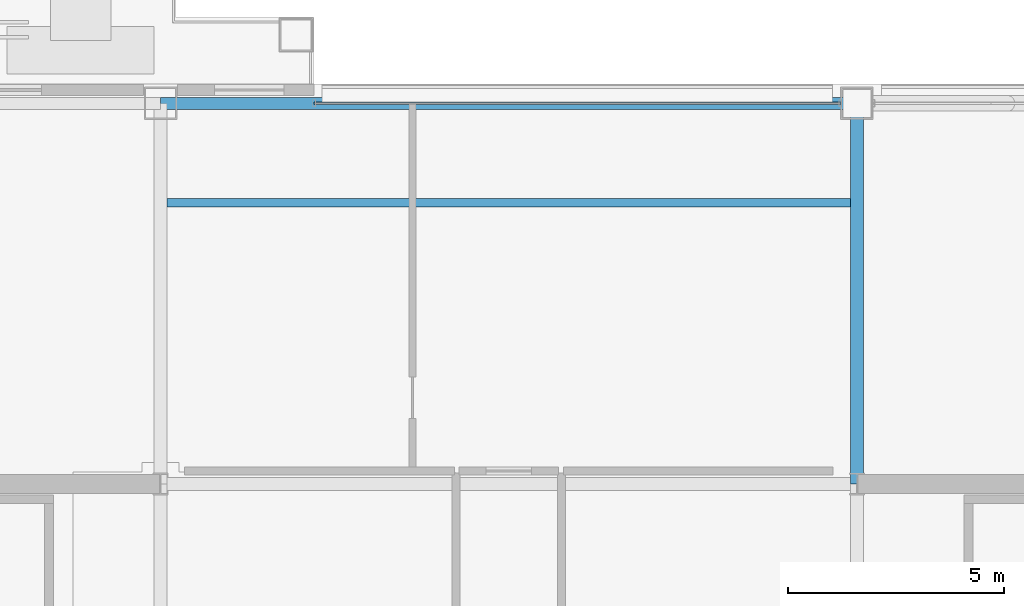
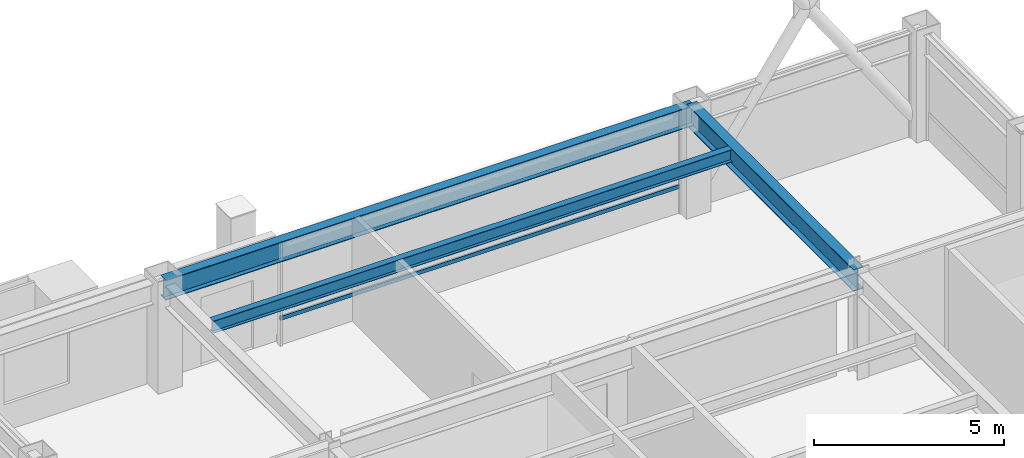
# One storey, part 22 of 32: 3 beams, 1 member, 1 element without a shape of its own.
"""IFC4 building model written with IfcOpenShell, lengths in metres."""

import ifcopenshell
import ifcopenshell.guid

model = None  # the IFC model being written
_history = None  # IfcOwnerHistory: only IFC2X3 demands one
_inside = {}  # id of a spatial element -> (the spatial element, [elements in it])
_under = {}  # id of a project, library or spatial element -> (it, [spatial elements below it])
_declared = {}  # id of a project -> (the project, [libraries it declares])
_typed = {}  # id of a type object -> (the type object, [elements of that type])
_made_of = {}  # id of a material, layer set ... -> (it, [elements and type objects made of it])


def new_model(schema):
    """Start an empty IFC model of exactly this schema.

    Asked for "IFC4X3", IfcOpenShell would pick the latest addendum, in which some entities
    have other attributes; the version numbers below select the first issue.
    IFC2X3 requires an IfcOwnerHistory on every rooted entity: one is made here for all.
    """
    global model, _history
    if schema == "IFC4X3":
        model = ifcopenshell.file(schema_version=(4, 3, 0, 0))
    else:
        model = ifcopenshell.file(schema=schema)
    _inside.clear()
    _under.clear()
    _declared.clear()
    _typed.clear()
    _made_of.clear()
    _history = None
    if model.schema == "IFC2X3":
        org = make("IfcOrganization", Name="unknown")
        user = make(
            "IfcPersonAndOrganization",
            ThePerson=make("IfcPerson", FamilyName="unknown"),
            TheOrganization=org,
        )
        app = make(
            "IfcApplication",
            ApplicationDeveloper=org,
            Version="unknown",
            ApplicationFullName="unknown",
            ApplicationIdentifier="unknown",
        )
        _history = make(
            "IfcOwnerHistory",
            OwningUser=user,
            OwningApplication=app,
            ChangeAction="ADDED",
            CreationDate=0,
        )
    return model


def make(cls, **values):
    """One entity of the class cls with the attributes given. An attribute that is None is left unset."""
    return model.create_entity(
        cls, **{name: value for name, value in values.items() if value is not None}
    )


def rooted(cls, **values):
    """An entity with a GlobalId (a new one), such as an element, a storey or a relation."""
    return make(cls, GlobalId=ifcopenshell.guid.new(), OwnerHistory=_history, **values)


def si_unit(unit_type, name, prefix=None):
    """IfcSIUnit, for example si_unit("LENGTHUNIT", "METRE", prefix="MILLI")."""
    return make("IfcSIUnit", UnitType=unit_type, Prefix=prefix, Name=name)


def assignment(units):
    """IfcUnitAssignment: the units of a project."""
    return None if units is None else make("IfcUnitAssignment", Units=units)


def point(xyz):
    """IfcCartesianPoint."""
    return None if xyz is None else make("IfcCartesianPoint", Coordinates=xyz)


def direction(xyz):
    """IfcDirection."""
    return None if xyz is None else make("IfcDirection", DirectionRatios=xyz)


def frame(location, z_axis=None, x_axis=None):
    """IfcAxis2Placement3D, a coordinate frame: its origin and axes. An axis left out is left unset."""
    return make(
        "IfcAxis2Placement3D",
        Location=point(location),
        Axis=direction(z_axis),
        RefDirection=direction(x_axis),
    )


def frame_2d(location, x_axis=None):
    """IfcAxis2Placement2D, a coordinate frame in the plane: its origin and x axis."""
    return make(
        "IfcAxis2Placement2D", Location=point(location), RefDirection=direction(x_axis)
    )


def origin():
    """The frame at (0, 0, 0) with its axes left unset."""
    return frame((0.0, 0.0, 0.0))


def origin_2d():
    """The frame at (0, 0) in the plane with its x axis left unset."""
    return frame_2d((0.0, 0.0))


def place(relative_to, where):
    """IfcLocalPlacement: puts the frame where relative to a parent placement (None: the world)."""
    return make(
        "IfcLocalPlacement", PlacementRelTo=relative_to, RelativePlacement=where
    )


def context(
    kind, dimensions, precision=None, world=None, true_north=None, identifier=None
):
    """IfcGeometricRepresentationContext, for example the 3D "Model" context."""
    return make(
        "IfcGeometricRepresentationContext",
        ContextIdentifier=identifier,
        ContextType=kind,
        CoordinateSpaceDimension=dimensions,
        Precision=precision,
        WorldCoordinateSystem=world,
        TrueNorth=true_north,
    )


def subcontext(parent, identifier, kind, view, scale=None):
    """IfcGeometricRepresentationSubContext, for example "Body" below "Model"."""
    return make(
        "IfcGeometricRepresentationSubContext",
        ContextIdentifier=identifier,
        ContextType=kind,
        ParentContext=parent,
        TargetScale=scale,
        TargetView=view,
    )


def project(units=None, contexts=None):
    """IfcProject with its units and contexts."""
    return rooted(
        "IfcProject",
        Name="project",
        RepresentationContexts=contexts,
        UnitsInContext=assignment(units),
    )


def spatial(cls, under=None, at=None, **own):
    """A site, building, storey or space (cls), placed at a placement, below another one or the project."""
    s = rooted(cls, ObjectPlacement=at, **own)
    if under is not None:
        _under.setdefault(under.id(), (under, []))[1].append(s)
    return s


def profile(cls, at=None, kind="AREA", **sizes):
    """A parametric profile (cls). Its sizes go by their IFC names, for example OverallWidth=200.0."""
    return make(cls, ProfileType=kind, Position=at, **sizes)


def hollow_rectangle(**sizes):
    """IfcRectangleHollowProfileDef."""
    return profile("IfcRectangleHollowProfileDef", **sizes)


def i_section(**sizes):
    """IfcIShapeProfileDef."""
    return profile("IfcIShapeProfileDef", **sizes)


def extrude(swept, where, along, depth):
    """IfcExtrudedAreaSolid: the profile swept, set in the frame where, extruded along a direction by depth."""
    return make(
        "IfcExtrudedAreaSolid",
        SweptArea=swept,
        Position=where,
        ExtrudedDirection=direction(along),
        Depth=depth,
    )


def shape(context_of_items, identifier, shape_type, items):
    """IfcShapeRepresentation: the items that make up one representation, for example the "Body"."""
    return make(
        "IfcShapeRepresentation",
        ContextOfItems=context_of_items,
        RepresentationIdentifier=identifier,
        RepresentationType=shape_type,
        Items=items,
    )


def material(Name=None, Category=None):
    """IfcMaterial."""
    return make("IfcMaterial", Name=Name, Category=Category)


def layer(
    of_material, thickness, ventilated=None, Name=None, Category=None, Priority=None
):
    """IfcMaterialLayer: one layer of a wall or slab, of a material (None: an air gap)."""
    return make(
        "IfcMaterialLayer",
        Material=of_material,
        LayerThickness=thickness,
        IsVentilated=ventilated,
        Name=Name,
        Category=Category,
        Priority=Priority,
    )


def layer_set(layers, Name=None):
    """IfcMaterialLayerSet."""
    return make("IfcMaterialLayerSet", MaterialLayers=layers, LayerSetName=Name)


def material_profile(
    of_material, cross_section, Name=None, Category=None, Priority=None
):
    """IfcMaterialProfile: a cross section and its material."""
    return make(
        "IfcMaterialProfile",
        Name=Name,
        Material=of_material,
        Profile=cross_section,
        Priority=Priority,
        Category=Category,
    )


def profile_set(profiles, Name=None, composite=None):
    """IfcMaterialProfileSet."""
    return make(
        "IfcMaterialProfileSet",
        Name=Name,
        MaterialProfiles=profiles,
        CompositeProfile=composite,
    )


def made_of(thing, what):
    """Note that an element or type object is made of a material, layer set ...; save() writes the relation."""
    if what is not None:
        _made_of.setdefault(what.id(), (what, []))[1].append(thing)
    return thing


def type_object(cls, material=None, **own):
    """A type object (cls), such as IfcWallType, which elements share."""
    return made_of(rooted(cls, **own), material)


def element(
    cls,
    number,
    at=None,
    inside=None,
    cuts=None,
    type_object=None,
    material=None,
    context=None,
    identifier="Body",
    shape_type=None,
    held_by="IfcProductDefinitionShape",
    body=None,
    shapes=None,
    **own,
):
    """One element of the class cls, such as IfcWall. Its Tag is "e" and its number.

    at: its placement. inside: the storey or other place that contains it. cuts: it is an
    opening in that element (IfcRelVoidsElement). A single representation is given by context,
    identifier, shape_type and body (its items); several are given by shapes. held_by: the class
    of the entity that holds the representations. save() writes the other relations.
    """
    e = rooted(cls, Tag="e%d" % number, ObjectPlacement=at, **own)
    if body is not None:
        shapes = [shape(context, identifier, shape_type, body)]
    if shapes is not None:
        e.Representation = make(held_by, Representations=shapes)
    if inside is not None:
        _inside.setdefault(inside.id(), (inside, []))[1].append(e)
    if cuts is not None:
        rooted(
            "IfcRelVoidsElement", RelatingBuildingElement=cuts, RelatedOpeningElement=e
        )
    if type_object is not None:
        _typed.setdefault(type_object.id(), (type_object, []))[1].append(e)
    return made_of(e, material)


def aggregate(whole, parts):
    """IfcRelAggregates: a whole, such as a stair, and the parts it consists of."""
    return rooted("IfcRelAggregates", RelatingObject=whole, RelatedObjects=parts)


def save(model, path):
    """Write the relations noted so far, then the file.

    IfcRelAggregates (storeys below a building ...), IfcRelContainedInSpatialStructure (elements
    in a storey), IfcRelDefinesByType, IfcRelAssociatesMaterial and IfcRelDeclares: one each for
    every whole, place, type object, material and project.
    """
    for whole, parts in _under.values():
        aggregate(whole, parts)
    for where, things in _inside.values():
        rooted(
            "IfcRelContainedInSpatialStructure",
            RelatedElements=things,
            RelatingStructure=where,
        )
    for kind, things in _typed.values():
        rooted("IfcRelDefinesByType", RelatedObjects=things, RelatingType=kind)
    for what, things in _made_of.values():
        rooted("IfcRelAssociatesMaterial", RelatedObjects=things, RelatingMaterial=what)
    for by, libraries in _declared.values():
        rooted("IfcRelDeclares", RelatingContext=by, RelatedDefinitions=libraries)
    model.write(path)


model = new_model("IFC4")

# Units and contexts
model_context = context("Model", 3, precision=1e-05, world=origin(), true_north=direction((0.0, 1.0)))
body_context = subcontext(model_context, "Body", "Model", "MODEL_VIEW")
ifc_project = project(units=[si_unit("LENGTHUNIT", "METRE"), si_unit("AREAUNIT", "SQUARE_METRE"), si_unit("VOLUMEUNIT", "CUBIC_METRE"), si_unit("PLANEANGLEUNIT", "RADIAN"), si_unit("MASSUNIT", "GRAM", prefix="KILO")], contexts=[model_context])

# Site, building, storey
site_placement = place(None, origin())
site = spatial("IfcSite", under=ifc_project, at=site_placement, CompositionType="ELEMENT")
building_placement = place(site_placement, origin())
building = spatial("IfcBuilding", under=site, at=building_placement, Name="Brelmoor Portico Tower", CompositionType="ELEMENT")
storey_placement = place(building_placement, frame((0.0, 0.0, 162.300048828125)))
storey = spatial("IfcBuildingStorey", under=building, at=storey_placement, Name="L42", CompositionType="ELEMENT", Elevation=162.300048828125)

# Beams
ifc_material_1 = material(Name="Steel Q355B", Category="steel")
ifc_material_profile_1 = material_profile(ifc_material_1, i_section(OverallWidth=0.199951171875, OverallDepth=0.39990234375, WebThickness=0.008056640625, FlangeThickness=0.012939453125, at=origin_2d()), Name="HN 400x200x8x13")
ifc_profile_set_1 = profile_set([ifc_material_profile_1], Name="Steel Q355B")
beam_type_1 = type_object("IfcBeamType", Name="BM-JS-400", PredefinedType="JOIST", material=ifc_profile_set_1)
beam_1_placement = place(storey_placement, frame((-7.89990234375, 16.25, 3.199951171875), z_axis=(1.0, 0.0, 0.0), x_axis=(0.0, 1.0, 0.0)))
element("IfcBeam", 1, at=beam_1_placement, inside=storey, type_object=beam_type_1, Name="L42 Secondary Composite Joist JS-C04", PredefinedType="JOIST", context=body_context, shape_type="SweptSolid", body=[
    extrude(i_section(OverallWidth=0.199951171875, OverallDepth=0.39990234375, WebThickness=0.008056640625, FlangeThickness=0.012939453125, at=origin_2d()), origin(), (0.0, 0.0, 1.0), 15.7998046875),
])
ifc_material_profile_2 = material_profile(ifc_material_1, i_section(OverallWidth=0.300048828125, OverallDepth=0.699951171875, WebThickness=0.012939453125, FlangeThickness=0.02392578125, at=origin_2d()), Name="HN 700x300x13x24")
ifc_profile_set_2 = profile_set([ifc_material_profile_2], Name="Steel Q355B")
beam_type_2 = type_object("IfcBeamType", Name="BM-PG-700", PredefinedType="BEAM", material=ifc_profile_set_2)
beam_2_placement = place(storey_placement, frame((8.050048828125, 9.75, 3.050048828125), z_axis=(0.0, 1.0, 0.0), x_axis=(-1.0, 0.0, 0.0)))
element("IfcBeam", 2, at=beam_2_placement, inside=storey, type_object=beam_type_2, Name="L42 Primary Floor Girder PG-08", PredefinedType="BEAM", context=body_context, shape_type="SweptSolid", body=[
    extrude(i_section(OverallWidth=0.300048828125, OverallDepth=0.699951171875, WebThickness=0.012939453125, FlangeThickness=0.02392578125, at=origin_2d()), origin(), (0.0, 0.0, 1.0), 8.800048828125),
])
ifc_material_profile_3 = material_profile(ifc_material_1, i_section(OverallWidth=0.280029296875, OverallDepth=0.64990234375, WebThickness=0.012939453125, FlangeThickness=0.02197265625, at=origin_2d()), Name="HN 650x280x13x22")
ifc_profile_set_3 = profile_set([ifc_material_profile_3], Name="Steel Q355B")
beam_type_3 = type_object("IfcBeamType", Name="BM-SP-650", PredefinedType="SPANDREL", material=ifc_profile_set_3)
beam_3_placement = place(storey_placement, frame((-8.050048828125, 18.550048828125, 3.074951171875), z_axis=(1.0, 0.0, 0.0), x_axis=(0.0, 1.0, 0.0)))
element("IfcBeam", 3, at=beam_3_placement, inside=storey, type_object=beam_type_3, Name="L42 Perimeter Spandrel Beam SP-09", PredefinedType="SPANDREL", context=body_context, shape_type="SweptSolid", body=[
    extrude(i_section(OverallWidth=0.280029296875, OverallDepth=0.64990234375, WebThickness=0.012939453125, FlangeThickness=0.02197265625, at=origin_2d()), origin(), (0.0, 0.0, 1.0), 16.10009765625),
])

# Curtain wall, member
ifc_material_2 = material(Name="Anodised Aluminium Alloy 6063-T6", Category="aluminium")
ifc_layer = layer(ifc_material_2, 0.179931640625)
ifc_layer_set = layer_set([ifc_layer], Name="Anodised Aluminium Alloy 6063-T6")
curtain_wall_type = type_object("IfcCurtainWallType", Name="CW-TOWER-Z3", PredefinedType="NOTDEFINED", material=ifc_layer_set)
curtain_wall_placement = place(storey_placement, origin())
curtain_wall = element("IfcCurtainWall", 4, at=curtain_wall_placement, inside=storey, type_object=curtain_wall_type, Name="L42 Curtain Wall CW-L42-2R-1", PredefinedType="NOTDEFINED")
ifc_material_profile_4 = material_profile(ifc_material_2, hollow_rectangle(XDim=0.06005859375, YDim=0.125, WallThickness=0.00341796875, at=origin_2d()), Name="ALU TRANSOM 60x125")
ifc_profile_set_4 = profile_set([ifc_material_profile_4], Name="Anodised Aluminium Alloy 6063-T6")
member_type = type_object("IfcMemberType", Name="MB-CW-TRAN-125", PredefinedType="USERDEFINED", material=ifc_profile_set_4)
member_placement = place(storey_placement, frame((-4.5, 18.550048828125, 0.849853515625), z_axis=(1.0, 0.0, 0.0), x_axis=(0.0, 1.0, 0.0)))
member = element("IfcMember", 5, at=member_placement, type_object=member_type, Name="CW-L42-2R-1 Transom 1-00", ObjectType="TRANSOM", PredefinedType="USERDEFINED", context=body_context, shape_type="SweptSolid", body=[
    extrude(hollow_rectangle(XDim=0.06005859375, YDim=0.125, WallThickness=0.00341796875, at=origin_2d()), origin(), (0.0, 0.0, 1.0), 12.1650390625),
])
aggregate(curtain_wall, [member])

save(model, "model.ifc")
